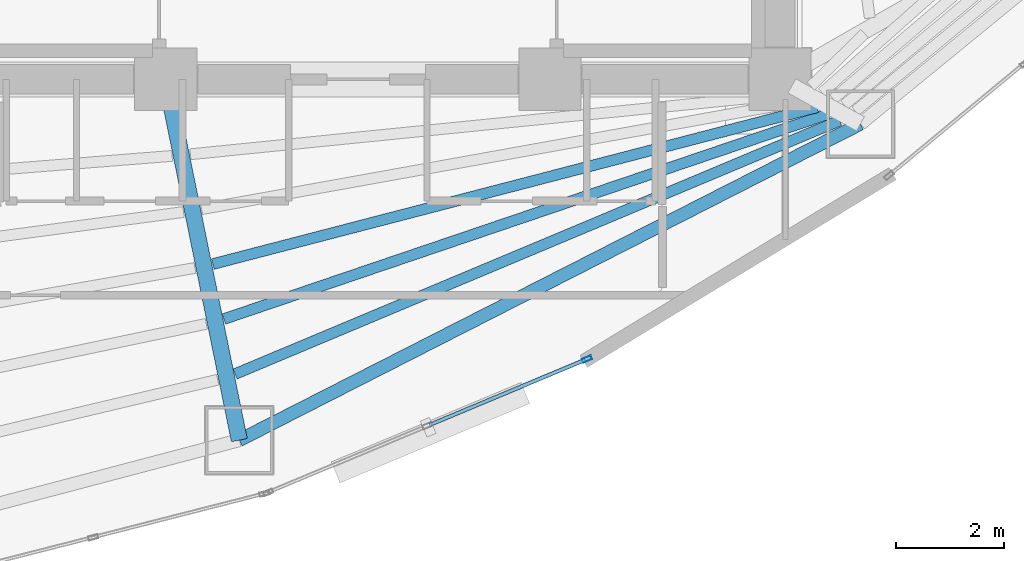
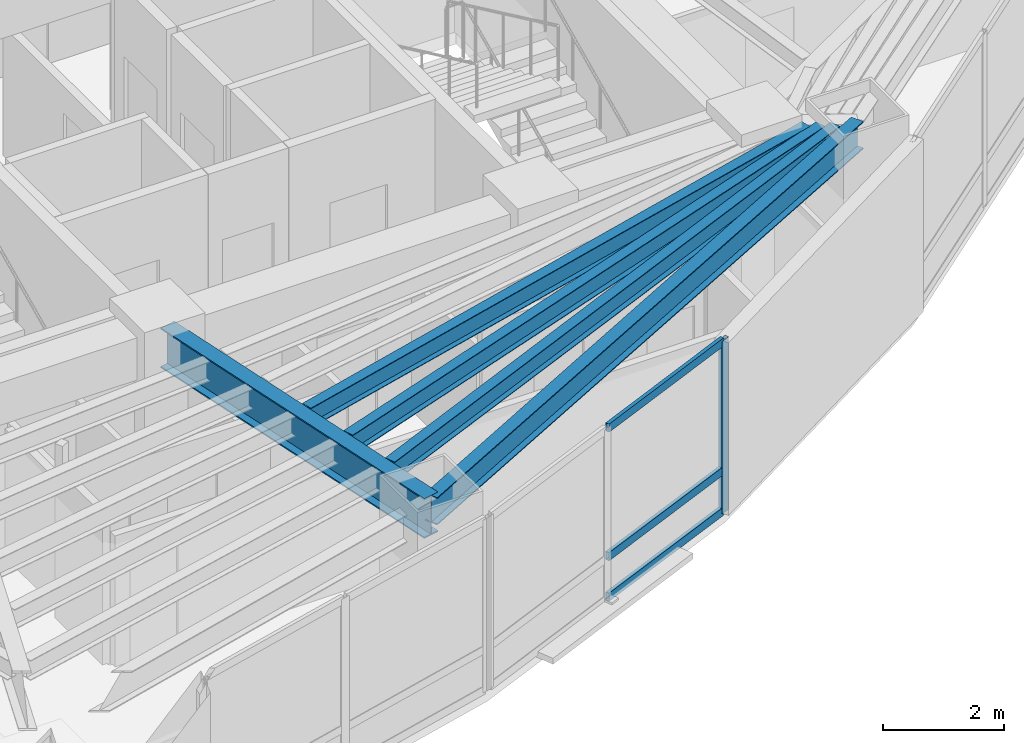
# One storey, part 6 of 23: 5 beams, 4 members, 1 element without a shape of its own.
"""IFC4 building model written with IfcOpenShell, lengths in metres."""

from ifc_helpers import new_model, si_unit, direction, frame, origin, origin_2d, place, context, subcontext, project, spatial, hollow_rectangle, i_section, extrude, material, layer, layer_set, material_profile, profile_set, type_object, element, aggregate, save


model = new_model("IFC4")

# Units and contexts
model_context = context("Model", 3, precision=1e-05, world=origin(), true_north=direction((0.0, 1.0)))
body_context = subcontext(model_context, "Body", "Model", "MODEL_VIEW")
ifc_project = project(units=[si_unit("LENGTHUNIT", "METRE"), si_unit("AREAUNIT", "SQUARE_METRE"), si_unit("VOLUMEUNIT", "CUBIC_METRE"), si_unit("PLANEANGLEUNIT", "RADIAN"), si_unit("MASSUNIT", "GRAM", prefix="KILO")], contexts=[model_context])

# Site, building, storey
site_placement = place(None, origin())
site = spatial("IfcSite", under=ifc_project, at=site_placement, CompositionType="ELEMENT")
building_placement = place(site_placement, origin())
building = spatial("IfcBuilding", under=site, at=building_placement, Name="Menara Vayukalpa", CompositionType="ELEMENT")
storey_placement = place(building_placement, frame((0.0, 0.0, 107.699951171875)))
storey = spatial("IfcBuildingStorey", under=building, at=storey_placement, Name="L26", CompositionType="ELEMENT", Elevation=107.699951171875)

# Beams
ifc_material_1 = material(Name="Steel S355", Category="steel")
ifc_material_profile_1 = material_profile(ifc_material_1, i_section(OverallWidth=0.300048828125, OverallDepth=0.800048828125, WebThickness=0.013916015625, FlangeThickness=0.02587890625, at=origin_2d()), Name="WF 800x300x14x26")
ifc_profile_set_1 = profile_set([ifc_material_profile_1], Name="Steel S355")
beam_type_1 = type_object("IfcBeamType", Name="BM-PG3", PredefinedType="BEAM", material=ifc_profile_set_1)
beam_1_placement = place(storey_placement, frame((22.099853515625, 16.955078125, 3.070068359375), z_axis=(0.199617728418, -0.9798738503, 0.0), x_axis=(0.9798738503, 0.199617728418, 0.0)))
element("IfcBeam", 1, at=beam_1_placement, inside=storey, type_object=beam_type_1, Name="L26 Primary Radial Girder RG08", PredefinedType="BEAM", context=body_context, shape_type="SweptSolid", body=[
    extrude(i_section(OverallWidth=0.300048828125, OverallDepth=0.800048828125, WebThickness=0.013916015625, FlangeThickness=0.02587890625, at=origin_2d()), origin(), (0.0, 0.0, 1.0), 6.55419921875),
])
ifc_material_2 = material(Name="Steel S355", Category="steel")
ifc_material_profile_2 = material_profile(ifc_material_2, i_section(OverallWidth=0.199951171875, OverallDepth=0.39990234375, WebThickness=0.008056640625, FlangeThickness=0.012939453125, at=origin_2d()), Name="WF 400x200x8x13")
ifc_profile_set_2 = profile_set([ifc_material_profile_2], Name="Steel S355")
beam_type_2 = type_object("IfcBeamType", Name="BM-SJ2", PredefinedType="JOIST", material=ifc_profile_set_2)
beam_2_placement = place(storey_placement, frame((22.918701171875, 13.78662109375, 3.27001953125), z_axis=(0.967921665574, 0.251252162802, 0.0), x_axis=(-0.251252162802, 0.967921665574, 0.0)))
element("IfcBeam", 2, at=beam_2_placement, inside=storey, type_object=beam_type_2, Name="L26 Secondary Floor Joist SJ08-3", PredefinedType="JOIST", context=body_context, shape_type="SweptSolid", body=[
    extrude(i_section(OverallWidth=0.199951171875, OverallDepth=0.39990234375, WebThickness=0.008056640625, FlangeThickness=0.012939453125, at=origin_2d()), origin(), (0.0, 0.0, 1.0), 11.539794921875),
])
beam_3_placement = place(storey_placement, frame((23.12451171875, 12.77099609375, 3.27001953125), z_axis=(0.94694934653, 0.321382848183, 0.0), x_axis=(-0.321382848183, 0.94694934653, 0.0)))
element("IfcBeam", 3, at=beam_3_placement, inside=storey, type_object=beam_type_2, Name="L26 Secondary Floor Joist SJ08-4", PredefinedType="JOIST", context=body_context, shape_type="SweptSolid", body=[
    extrude(i_section(OverallWidth=0.199951171875, OverallDepth=0.39990234375, WebThickness=0.008056640625, FlangeThickness=0.012939453125, at=origin_2d()), origin(), (0.0, 0.0, 1.0), 11.7958984375),
])
beam_4_placement = place(storey_placement, frame((23.32958984375, 11.75439453125, 3.27001953125), z_axis=(0.922216637658, 0.386673600375, 0.0), x_axis=(-0.386673600375, 0.922216637658, 0.0)))
element("IfcBeam", 4, at=beam_4_placement, inside=storey, type_object=beam_type_2, Name="L26 Secondary Floor Joist SJ08-5", PredefinedType="JOIST", context=body_context, shape_type="SweptSolid", body=[
    extrude(i_section(OverallWidth=0.199951171875, OverallDepth=0.39990234375, WebThickness=0.008056640625, FlangeThickness=0.012939453125, at=origin_2d()), origin(), (0.0, 0.0, 1.0), 12.114501953125),
])
ifc_material_3 = material(Name="Steel S355", Category="steel")
ifc_material_profile_3 = material_profile(ifc_material_3, i_section(OverallWidth=0.239990234375, OverallDepth=0.550048828125, WebThickness=0.010986328125, FlangeThickness=0.01904296875, at=origin_2d()), Name="WF 550x240x11x19")
ifc_profile_set_3 = profile_set([ifc_material_profile_3], Name="Steel S355")
beam_type_3 = type_object("IfcBeamType", Name="BM-SP2", PredefinedType="SPANDREL", material=ifc_profile_set_3)
beam_5_placement = place(storey_placement, frame((23.408203125, 10.53271484375, 3.195068359375), z_axis=(0.891097345221, 0.453812209333, 0.0), x_axis=(-0.453812209333, 0.891097345221, 0.0)))
element("IfcBeam", 5, at=beam_5_placement, inside=storey, type_object=beam_type_3, Name="L26 Perimeter Spandrel Beam SP08", PredefinedType="SPANDREL", context=body_context, shape_type="SweptSolid", body=[
    extrude(i_section(OverallWidth=0.239990234375, OverallDepth=0.550048828125, WebThickness=0.010986328125, FlangeThickness=0.01904296875, at=origin_2d()), origin(), (0.0, 0.0, 1.0), 12.88134765625),
])

# Curtain wall, members
ifc_material_4 = material(Name="Anodised Terracotta Aluminium Alloy 6063-T6", Category="masonry")
ifc_layer = layer(ifc_material_4, 0.179931640625)
ifc_layer_set = layer_set([ifc_layer], Name="Anodised Terracotta Aluminium Alloy 6063-T6")
curtain_wall_type = type_object("IfcCurtainWallType", Name="CW-CW4", PredefinedType="USERDEFINED", material=ifc_layer_set)
curtain_wall_placement = place(storey_placement, origin())
curtain_wall = element("IfcCurtainWall", 6, at=curtain_wall_placement, inside=storey, type_object=curtain_wall_type, Name="L26 Sky Bar Cantilever Glazed Curtain Wall CW4 17", ObjectType="UNITISED", PredefinedType="USERDEFINED")
ifc_material_5 = material(Name="Anodised Terracotta Aluminium Alloy 6063-T6", Category="masonry")
ifc_material_profile_4 = material_profile(ifc_material_5, hollow_rectangle(XDim=0.074951171875, YDim=0.179931640625, WallThickness=0.00390625, at=origin_2d()), Name="ALU 75x180x4")
ifc_profile_set_4 = profile_set([ifc_material_profile_4], Name="Anodised Terracotta Aluminium Alloy 6063-T6")
member_type_1 = type_object("IfcMemberType", Name="CWM-CW4", PredefinedType="MULLION", material=ifc_profile_set_4)
member_1_placement = place(storey_placement, frame((29.831298828125, 12.0302734375, 0.0), z_axis=(0.0, 0.0, 1.0), x_axis=(-0.38589358437, 0.922543300632, 0.0)))
member_1 = element("IfcMember", 7, at=member_1_placement, type_object=member_type_1, Name="CW4 mullion 3", PredefinedType="MULLION", context=body_context, shape_type="SweptSolid", body=[
    extrude(hollow_rectangle(XDim=0.074951171875, YDim=0.179931640625, WallThickness=0.00390625, at=origin_2d()), origin(), (0.0, 0.0, 1.0), 3.469970703125),
])
ifc_material_6 = material(Name="Anodised Terracotta Aluminium Alloy 6063-T6", Category="masonry")
ifc_material_profile_5 = material_profile(ifc_material_6, hollow_rectangle(XDim=0.070068359375, YDim=0.1650390625, WallThickness=0.00390625, at=origin_2d()), Name="ALU 70x165x4")
ifc_profile_set_5 = profile_set([ifc_material_profile_5], Name="Anodised Terracotta Aluminium Alloy 6063-T6")
member_type_2 = type_object("IfcMemberType", Name="CWT-CW4", PredefinedType="USERDEFINED", material=ifc_profile_set_5)
member_2_placement = place(storey_placement, frame((26.921142578125, 10.81298828125, 0.03515625), z_axis=(0.922533742775, 0.385916433236, 0.0), x_axis=(-0.385916433236, 0.922533742775, 0.0)))
member_2 = element("IfcMember", 8, at=member_2_placement, type_object=member_type_2, Name="CW4 transom 2.1", ObjectType="TRANSOM", PredefinedType="USERDEFINED", context=body_context, shape_type="SweptSolid", body=[
    extrude(hollow_rectangle(XDim=0.070068359375, YDim=0.1650390625, WallThickness=0.00390625, at=origin_2d()), origin(), (0.0, 0.0, 1.0), 3.116943359375),
])
member_3_placement = place(storey_placement, frame((26.921142578125, 10.81298828125, 0.85009765625), z_axis=(0.922533742775, 0.385916433236, 0.0), x_axis=(-0.385916433236, 0.922533742775, 0.0)))
member_3 = element("IfcMember", 9, at=member_3_placement, type_object=member_type_2, Name="CW4 transom 2.2", ObjectType="TRANSOM", PredefinedType="USERDEFINED", context=body_context, shape_type="SweptSolid", body=[
    extrude(hollow_rectangle(XDim=0.070068359375, YDim=0.1650390625, WallThickness=0.00390625, at=origin_2d()), origin(), (0.0, 0.0, 1.0), 3.116943359375),
])
member_4_placement = place(storey_placement, frame((26.921142578125, 10.81298828125, 3.43505859375), z_axis=(0.922533742775, 0.385916433236, 0.0), x_axis=(-0.385916433236, 0.922533742775, 0.0)))
member_4 = element("IfcMember", 10, at=member_4_placement, type_object=member_type_2, Name="CW4 transom 2.3", ObjectType="TRANSOM", PredefinedType="USERDEFINED", context=body_context, shape_type="SweptSolid", body=[
    extrude(hollow_rectangle(XDim=0.070068359375, YDim=0.1650390625, WallThickness=0.00390625, at=origin_2d()), origin(), (0.0, 0.0, 1.0), 3.116943359375),
])
aggregate(curtain_wall, [member_1, member_2, member_3, member_4])

save(model, "model.ifc")
